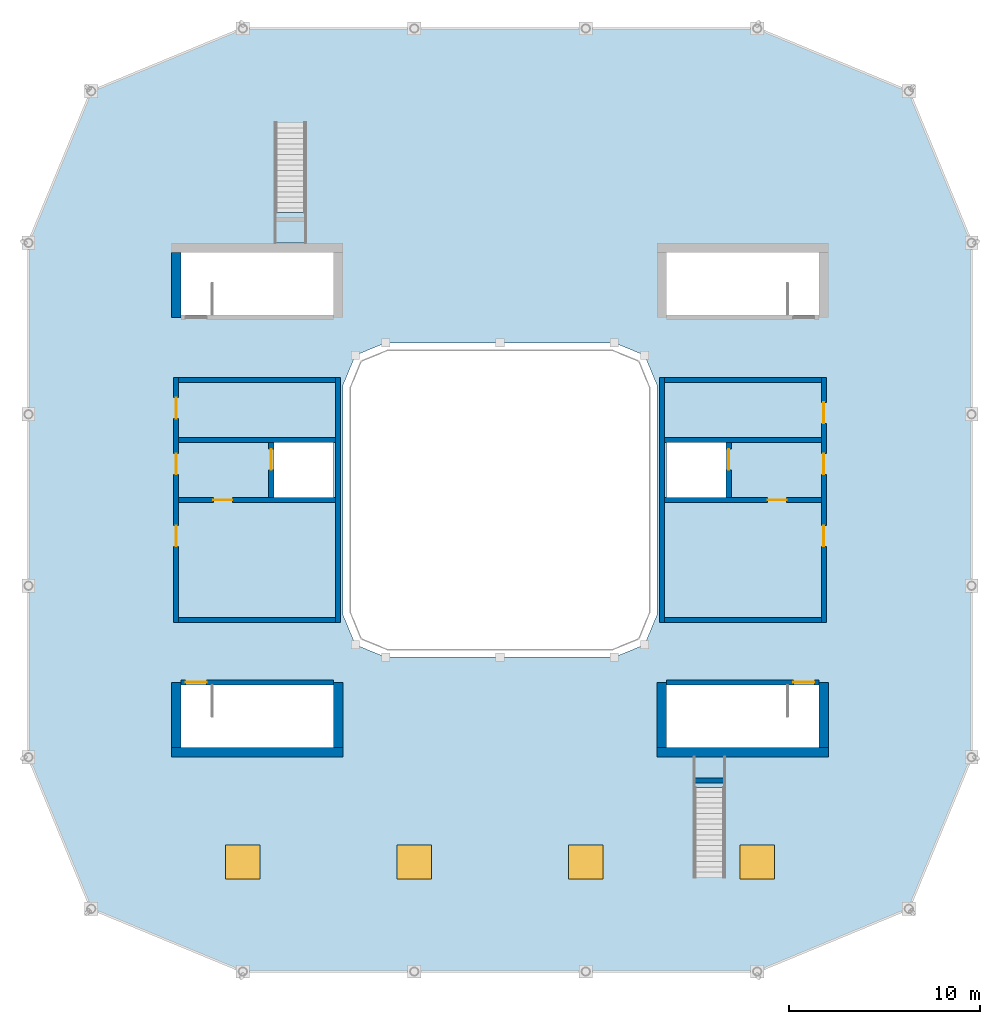
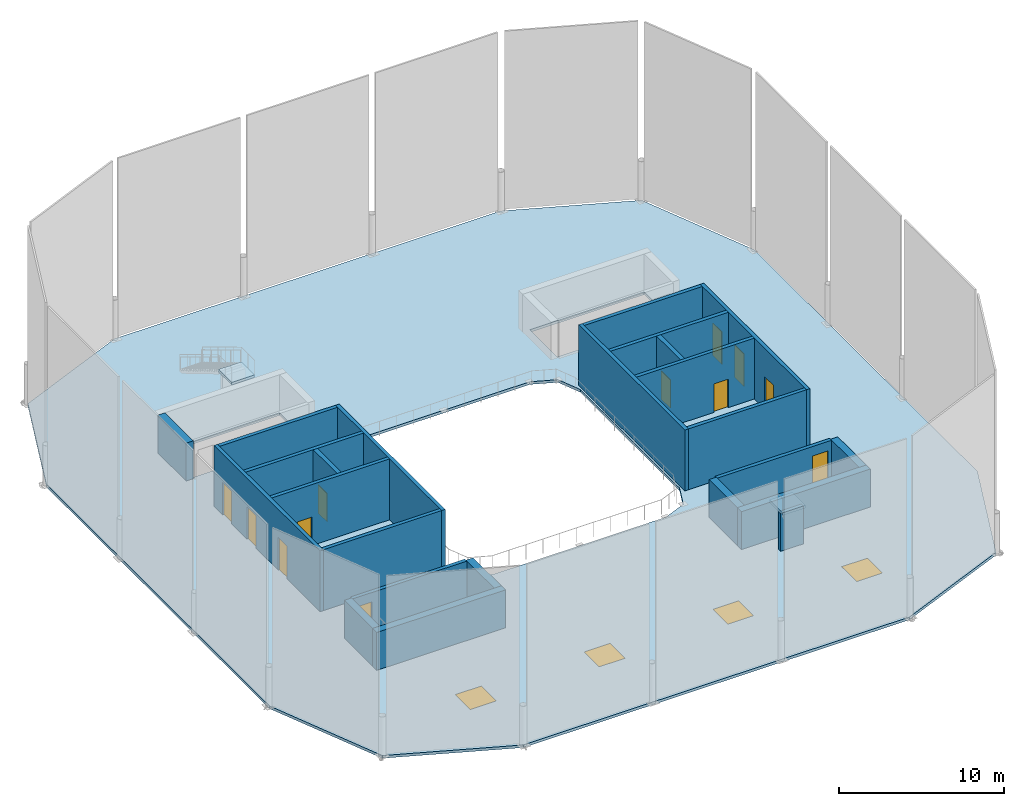
# One storey, part 3 of 8: 24 walls, 12 doors, 4 windows, 3 slabs, 16 openings, 2 elements without a shape of their own.
"""IFC4 building model written with IfcOpenShell, lengths in metres."""

from ifc_helpers import new_model, si_unit, direction, frame, frame_2d, origin, origin_2d, place, context, subcontext, project, spatial, polyline, rectangle, outline, extrude, material, layer, layer_set, type_object, element, fill, aggregate, save


model = new_model("IFC4")

# Units and contexts
model_context = context("Model", 3, precision=1e-05, world=origin(), true_north=direction((0.0, 1.0)))
body_context = subcontext(model_context, "Body", "Model", "MODEL_VIEW")
ifc_project = project(units=[si_unit("LENGTHUNIT", "METRE"), si_unit("AREAUNIT", "SQUARE_METRE"), si_unit("VOLUMEUNIT", "CUBIC_METRE"), si_unit("PLANEANGLEUNIT", "RADIAN"), si_unit("MASSUNIT", "GRAM", prefix="KILO")], contexts=[model_context])

# Site, building, storey
site_placement = place(None, origin())
site = spatial("IfcSite", under=ifc_project, at=site_placement, CompositionType="ELEMENT")
building_placement = place(site_placement, origin())
building = spatial("IfcBuilding", under=site, at=building_placement, Name="Siwar Civic Tower", CompositionType="ELEMENT")
storey_placement = place(building_placement, frame((0.0, 0.0, 358.199951171875)))
storey = spatial("IfcBuildingStorey", under=building, at=storey_placement, Name="ROOF", CompositionType="ELEMENT", Elevation=358.199951171875)

# Stair, slab
ifc_material_1 = material(Name="Concrete C40/50", Category="concrete")
stair_type = type_object("IfcStairType", Name="CORE-ROOF-STAIR", PredefinedType="STRAIGHT_RUN_STAIR", material=ifc_material_1)
stair_1_placement = place(storey_placement, origin())
stair_1 = element("IfcStair", 1, at=stair_1_placement, inside=storey, type_object=stair_type, Name="Stair RS1", PredefinedType="STRAIGHT_RUN_STAIR")
ifc_material_2 = material(Name="Concrete C40/50", Category="concrete")
ifc_layer_1 = layer(ifc_material_2, 0.199951171875)
ifc_layer_set_1 = layer_set([ifc_layer_1], Name="Concrete C40/50")
slab_type_1 = type_object("IfcSlabType", Name="CORE-ROOF-STAIR-LANDING", PredefinedType="LANDING", material=ifc_layer_set_1)
placement = place(building_placement, frame((0.0, 0.0, 361.199951171875)))
slab_1_placement = place(placement, frame((0.0, 0.0, -0.199951171875)))
slab_1 = element("IfcSlab", 2, at=slab_1_placement, type_object=slab_type_1, Name="RS1 landing 1", PredefinedType="LANDING", context=body_context, shape_type="SweptSolid", body=[
    extrude(outline(polyline([(-10.199951171875, 13.5), (-11.800048828125, 13.5), (-11.800048828125, 15.10009765625), (-10.199951171875, 15.10009765625), (-10.199951171875, 13.5)])), origin(), (0.0, 0.0, 1.0), 0.199951171875),
])
aggregate(stair_1, [slab_1])

stair_2_placement = place(storey_placement, origin())
stair_2 = element("IfcStair", 3, at=stair_2_placement, inside=storey, type_object=stair_type, Name="Stair RS2", PredefinedType="STRAIGHT_RUN_STAIR")
slab_2_placement = place(placement, frame((0.0, 0.0, -0.199951171875)))
slab_2 = element("IfcSlab", 4, at=slab_2_placement, type_object=slab_type_1, Name="RS2 landing 1", PredefinedType="LANDING", context=body_context, shape_type="SweptSolid", body=[
    extrude(outline(polyline([(10.199951171875, -13.5), (11.800048828125, -13.5), (11.800048828125, -15.10009765625), (10.199951171875, -15.10009765625), (10.199951171875, -13.5)])), origin(), (0.0, 0.0, 1.0), 0.199951171875),
])
aggregate(stair_2, [slab_2])

# Slab, openings, windows
ifc_material_3 = material(Name="Concrete C40/50", Category="concrete")
ifc_layer_2 = layer(ifc_material_3, 0.199951171875)
ifc_layer_set_2 = layer_set([ifc_layer_2], Name="Concrete C40/50")
slab_type_2 = type_object("IfcSlabType", Name="STR-OBSERVATION-DECK-200", PredefinedType="FLOOR", material=ifc_layer_set_2)
slab_3_placement = place(storey_placement, frame((0.0, 0.0, -0.199951171875)))
slab_3 = element("IfcSlab", 5, at=slab_3_placement, inside=storey, type_object=slab_type_2, Name="L76/slab/roof", PredefinedType="FLOOR", context=body_context, shape_type="SweptSolid", body=[
    extrude(outline(polyline([(-13.5, -24.75), (13.5, -24.75), (21.454833984375, -21.454833984375), (24.75, -13.5), (24.75, 13.5), (21.454833984375, 21.454833984375), (13.5, 24.75), (-13.5, 24.75), (-21.454833984375, 21.454833984375), (-24.75, 13.5), (-24.75, -13.5), (-21.454833984375, -21.454833984375), (-13.5, -24.75)]), holes=[polyline([(8.75, -13.0), (8.75, -9.699951171875), (16.75, -9.699951171875), (16.75, -13.0), (8.75, -13.0)]), polyline([(8.75, 9.699951171875), (8.75, 13.0), (16.75, 13.0), (16.75, 9.699951171875), (8.75, 9.699951171875)]), polyline([(8.75, 0.125), (8.75, 3.02490234375), (11.85009765625, 3.02490234375), (11.85009765625, 0.125), (8.75, 0.125)]), polyline([(-7.591064453125, 7.591064453125), (-6.0, 8.25), (6.0, 8.25), (7.591064453125, 7.591064453125), (8.25, 6.0), (8.25, -6.0), (7.591064453125, -7.591064453125), (6.0, -8.25), (-6.0, -8.25), (-7.591064453125, -7.591064453125), (-8.25, -6.0), (-8.25, 6.0), (-7.591064453125, 7.591064453125)]), polyline([(-16.75, -9.699951171875), (-8.75, -9.699951171875), (-8.75, -13.0), (-16.75, -13.0), (-16.75, -9.699951171875)]), polyline([(-8.75, 3.02490234375), (-8.75, 0.125), (-11.85009765625, 0.125), (-11.85009765625, 3.02490234375), (-8.75, 3.02490234375)]), polyline([(-8.75, 13.0), (-8.75, 9.699951171875), (-16.75, 9.699951171875), (-16.75, 13.0), (-8.75, 13.0)])]), origin(), (0.0, 0.0, 1.0), 0.199951171875),
])
opening_1_placement = place(slab_3_placement, frame((-13.5, -19.0, 0.0)))
opening_1 = element("IfcOpeningElement", 6, at=opening_1_placement, cuts=slab_3, Name="Opening SKL", PredefinedType="OPENING", context=body_context, shape_type="SweptSolid", body=[
    extrude(rectangle(XDim=1.800048828125, YDim=1.800048828125, at=origin_2d()), origin(), (0.0, 0.0, 1.0), 0.199951171875),
])
opening_2_placement = place(slab_3_placement, frame((-4.5, -19.0, 0.0)))
opening_2 = element("IfcOpeningElement", 7, at=opening_2_placement, cuts=slab_3, Name="Opening SKL", PredefinedType="OPENING", context=body_context, shape_type="SweptSolid", body=[
    extrude(rectangle(XDim=1.800048828125, YDim=1.800048828125, at=origin_2d()), origin(), (0.0, 0.0, 1.0), 0.199951171875),
])
opening_3_placement = place(slab_3_placement, frame((4.5, -19.0, 0.0)))
opening_3 = element("IfcOpeningElement", 8, at=opening_3_placement, cuts=slab_3, Name="Opening SKL", PredefinedType="OPENING", context=body_context, shape_type="SweptSolid", body=[
    extrude(rectangle(XDim=1.800048828125, YDim=1.800048828125, at=origin_2d()), origin(), (0.0, 0.0, 1.0), 0.199951171875),
])
opening_4_placement = place(slab_3_placement, frame((13.5, -19.0, 0.0)))
opening_4 = element("IfcOpeningElement", 9, at=opening_4_placement, cuts=slab_3, Name="Opening SKL", PredefinedType="OPENING", context=body_context, shape_type="SweptSolid", body=[
    extrude(rectangle(XDim=1.800048828125, YDim=1.800048828125, at=origin_2d()), origin(), (0.0, 0.0, 1.0), 0.199951171875),
])
ifc_material_4 = material(Name="Aluminium and laminated glass", Category="aluminium")
window_type = type_object("IfcWindowType", Name="ENV-ROOFLIGHT", PartitioningType="SINGLE_PANEL", PredefinedType="SKYLIGHT", material=ifc_material_4)
window_1_placement = place(opening_1_placement, frame((0.0, 0.0, 0.14990234375)))
window_1 = element("IfcWindow", 10, at=window_1_placement, inside=storey, type_object=window_type, Name="SKYLIGHT 1", OverallHeight=1.800048828125, OverallWidth=1.800048828125, PartitioningType="SINGLE_PANEL", PredefinedType="SKYLIGHT", context=body_context, shape_type="SweptSolid", body=[
    extrude(rectangle(XDim=1.800048828125, YDim=1.800048828125, at=origin_2d()), origin(), (0.0, 0.0, 1.0), 0.050048828125),
])
fill(opening_1, window_1)
window_2_placement = place(opening_2_placement, frame((0.0, 0.0, 0.14990234375)))
window_2 = element("IfcWindow", 11, at=window_2_placement, inside=storey, type_object=window_type, Name="SKYLIGHT 2", OverallHeight=1.800048828125, OverallWidth=1.800048828125, PartitioningType="SINGLE_PANEL", PredefinedType="SKYLIGHT", context=body_context, shape_type="SweptSolid", body=[
    extrude(rectangle(XDim=1.800048828125, YDim=1.800048828125, at=origin_2d()), origin(), (0.0, 0.0, 1.0), 0.050048828125),
])
fill(opening_2, window_2)
window_3_placement = place(opening_3_placement, frame((0.0, 0.0, 0.14990234375)))
window_3 = element("IfcWindow", 12, at=window_3_placement, inside=storey, type_object=window_type, Name="SKYLIGHT 3", OverallHeight=1.800048828125, OverallWidth=1.800048828125, PartitioningType="SINGLE_PANEL", PredefinedType="SKYLIGHT", context=body_context, shape_type="SweptSolid", body=[
    extrude(rectangle(XDim=1.800048828125, YDim=1.800048828125, at=origin_2d()), origin(), (0.0, 0.0, 1.0), 0.050048828125),
])
fill(opening_3, window_3)
window_4_placement = place(opening_4_placement, frame((0.0, 0.0, 0.14990234375)))
window_4 = element("IfcWindow", 13, at=window_4_placement, inside=storey, type_object=window_type, Name="SKYLIGHT 4", OverallHeight=1.800048828125, OverallWidth=1.800048828125, PartitioningType="SINGLE_PANEL", PredefinedType="SKYLIGHT", context=body_context, shape_type="SweptSolid", body=[
    extrude(rectangle(XDim=1.800048828125, YDim=1.800048828125, at=origin_2d()), origin(), (0.0, 0.0, 1.0), 0.050048828125),
])
fill(opening_4, window_4)

# Wall, opening, door
ifc_material_5 = material(Name="Concrete C60/75", Category="concrete")
ifc_layer_3 = layer(ifc_material_5, 0.25)
ifc_layer_set_3 = layer_set([ifc_layer_3], Name="Concrete C60/75")
wall_type_1 = type_object("IfcWallType", Name="CORE-WALL-RC250", PredefinedType="SHEAR", material=ifc_layer_set_3)
wall_1_placement = place(storey_placement, frame((8.625, 0.0, 0.0), z_axis=(0.0, 0.0, 1.0), x_axis=(1.0, 0.0, 0.0)))
wall_1 = element("IfcWall", 14, at=wall_1_placement, inside=storey, type_object=wall_type_1, Name="Lift lobby wall E", PredefinedType="SHEAR", context=body_context, shape_type="SweptSolid", body=[
    extrude(rectangle(XDim=8.25, YDim=0.25, at=frame_2d((4.125, 0.0))), origin(), (0.0, 0.0, 1.0), 4.5),
])
opening_5_placement = place(wall_1_placement, frame((5.425048828125, 0.0, 0.0)))
opening_5 = element("IfcOpeningElement", 15, at=opening_5_placement, cuts=wall_1, Name="Opening ROOF-CE02", PredefinedType="OPENING", context=body_context, shape_type="SweptSolid", body=[
    extrude(rectangle(XDim=1.0, YDim=2.10009765625, at=frame_2d((0.5, 1.050048828125))), frame((0.0, 0.135009765625, 0.0), z_axis=(0.0, -1.0, 0.0), x_axis=(1.0, 0.0, 0.0)), (0.0, 0.0, 1.0), 0.27001953125),
])
ifc_material_6 = material(Name="Steel door leaf", Category="steel")
door_type_1 = type_object("IfcDoorType", Name="CORE-DOOR-FD30S", OperationType="SINGLE_SWING_LEFT", PredefinedType="DOOR", material=ifc_material_6)
door_1_placement = place(opening_5_placement, origin())
door_1 = element("IfcDoor", 16, at=door_1_placement, inside=storey, type_object=door_type_1, Name="Plant room door ROOF-CE02", OperationType="SINGLE_SWING_LEFT", OverallHeight=2.10009765625, OverallWidth=1.0, PredefinedType="DOOR", context=body_context, shape_type="SweptSolid", body=[
    extrude(rectangle(XDim=1.0, YDim=2.10009765625, at=frame_2d((0.5, 1.050048828125))), frame((0.0, 0.02490234375, 0.0), z_axis=(0.0, -1.0, 0.0), x_axis=(1.0, 0.0, 0.0)), (0.0, 0.0, 1.0), 0.050048828125),
])
fill(opening_5, door_1)

# Wall
wall_2_placement = place(storey_placement, frame((8.625, 3.14990234375, 0.0), z_axis=(0.0, 0.0, 1.0), x_axis=(1.0, 0.0, 0.0)))
element("IfcWall", 17, at=wall_2_placement, inside=storey, type_object=wall_type_1, Name="Lift lobby wall E", PredefinedType="SHEAR", context=body_context, shape_type="SweptSolid", body=[
    extrude(rectangle(XDim=8.25, YDim=0.25, at=frame_2d((4.125, 0.0))), origin(), (0.0, 0.0, 1.0), 4.5),
])

# Wall, opening, door
wall_3_placement = place(storey_placement, frame((-8.625, 0.0, 0.0), z_axis=(0.0, 0.0, 1.0), x_axis=(-1.0, 0.0, 0.0)))
wall_3 = element("IfcWall", 18, at=wall_3_placement, inside=storey, type_object=wall_type_1, Name="Lift lobby wall W", PredefinedType="SHEAR", context=body_context, shape_type="SweptSolid", body=[
    extrude(rectangle(XDim=8.25, YDim=0.25, at=frame_2d((4.125, 0.0))), origin(), (0.0, 0.0, 1.0), 4.5),
])
opening_6_placement = place(wall_3_placement, frame((5.425048828125, 0.0, 0.0)))
opening_6 = element("IfcOpeningElement", 19, at=opening_6_placement, cuts=wall_3, Name="Opening ROOF-CW02", PredefinedType="OPENING", context=body_context, shape_type="SweptSolid", body=[
    extrude(rectangle(XDim=1.0, YDim=2.10009765625, at=frame_2d((0.5, 1.050048828125))), frame((0.0, 0.135009765625, 0.0), z_axis=(0.0, -1.0, 0.0), x_axis=(1.0, 0.0, 0.0)), (0.0, 0.0, 1.0), 0.27001953125),
])
door_2_placement = place(opening_6_placement, origin())
door_2 = element("IfcDoor", 20, at=door_2_placement, inside=storey, type_object=door_type_1, Name="Plant room door ROOF-CW02", OperationType="SINGLE_SWING_RIGHT", OverallHeight=2.10009765625, OverallWidth=1.0, PredefinedType="DOOR", context=body_context, shape_type="SweptSolid", body=[
    extrude(rectangle(XDim=1.0, YDim=2.10009765625, at=frame_2d((0.5, 1.050048828125))), frame((0.0, 0.02490234375, 0.0), z_axis=(0.0, -1.0, 0.0), x_axis=(1.0, 0.0, 0.0)), (0.0, 0.0, 1.0), 0.050048828125),
])
fill(opening_6, door_2)

# Wall
wall_4_placement = place(storey_placement, frame((-8.625, 3.14990234375, 0.0), z_axis=(0.0, 0.0, 1.0), x_axis=(-1.0, 0.0, 0.0)))
element("IfcWall", 21, at=wall_4_placement, inside=storey, type_object=wall_type_1, Name="Lift lobby wall W", PredefinedType="SHEAR", context=body_context, shape_type="SweptSolid", body=[
    extrude(rectangle(XDim=8.25, YDim=0.25, at=frame_2d((4.125, 0.0))), origin(), (0.0, 0.0, 1.0), 4.5),
])

# Wall, opening, door
ifc_material_7 = material(Name="Concrete C60/75", Category="concrete")
ifc_layer_4 = layer(ifc_material_7, 0.25)
ifc_layer_set_4 = layer_set([ifc_layer_4], Name="Concrete C60/75")
wall_type_2 = type_object("IfcWallType", Name="CORE-WALL-RC250-EXT", PredefinedType="SHEAR", material=ifc_layer_set_4)
wall_5_placement = place(storey_placement, frame((-8.75, -9.574951171875, 0.0), z_axis=(0.0, 0.0, 1.0), x_axis=(-1.0, 0.0, 0.0)))
wall_5 = element("IfcWall", 22, at=wall_5_placement, inside=storey, type_object=wall_type_2, Name="Stair head-house wall ST2", PredefinedType="SHEAR", context=body_context, shape_type="SweptSolid", body=[
    extrude(rectangle(XDim=8.0, YDim=0.25, at=frame_2d((4.0, 0.0))), origin(), (0.0, 0.0, 1.0), 2.800048828125),
])
opening_7_placement = place(wall_5_placement, frame((6.64990234375, 0.0, 0.0)))
opening_7 = element("IfcOpeningElement", 23, at=opening_7_placement, cuts=wall_5, Name="Opening L76-HST2", PredefinedType="OPENING", context=body_context, shape_type="SweptSolid", body=[
    extrude(rectangle(XDim=1.10009765625, YDim=2.10009765625, at=frame_2d((0.550048828125, 1.050048828125))), frame((0.0, 0.135009765625, 0.0), z_axis=(0.0, -1.0, 0.0), x_axis=(1.0, 0.0, 0.0)), (0.0, 0.0, 1.0), 0.27001953125),
])
ifc_material_8 = material(Name="Steel door leaf", Category="steel")
door_type_2 = type_object("IfcDoorType", Name="CORE-DOOR-FD60S-EXT", OperationType="SINGLE_SWING_LEFT", PredefinedType="DOOR", material=ifc_material_8)
door_3_placement = place(opening_7_placement, origin())
door_3 = element("IfcDoor", 24, at=door_3_placement, inside=storey, type_object=door_type_2, Name="Roof stair door ST2", OperationType="SINGLE_SWING_LEFT", OverallHeight=2.10009765625, OverallWidth=1.10009765625, PredefinedType="DOOR", context=body_context, shape_type="SweptSolid", body=[
    extrude(rectangle(XDim=1.10009765625, YDim=2.10009765625, at=frame_2d((0.550048828125, 1.050048828125))), frame((0.0, 0.02490234375, 0.0), z_axis=(0.0, -1.0, 0.0), x_axis=(1.0, 0.0, 0.0)), (0.0, 0.0, 1.0), 0.050048828125),
])
fill(opening_7, door_3)

wall_6_placement = place(storey_placement, frame((8.75, -9.574951171875, 0.0), z_axis=(0.0, 0.0, 1.0), x_axis=(1.0, 0.0, 0.0)))
wall_6 = element("IfcWall", 25, at=wall_6_placement, inside=storey, type_object=wall_type_2, Name="Stair head-house wall ST4", PredefinedType="SHEAR", context=body_context, shape_type="SweptSolid", body=[
    extrude(rectangle(XDim=8.0, YDim=0.25, at=frame_2d((4.0, 0.0))), origin(), (0.0, 0.0, 1.0), 2.800048828125),
])
opening_8_placement = place(wall_6_placement, frame((6.64990234375, 0.0, 0.0)))
opening_8 = element("IfcOpeningElement", 26, at=opening_8_placement, cuts=wall_6, Name="Opening L76-HST4", PredefinedType="OPENING", context=body_context, shape_type="SweptSolid", body=[
    extrude(rectangle(XDim=1.10009765625, YDim=2.10009765625, at=frame_2d((0.550048828125, 1.050048828125))), frame((0.0, 0.135009765625, 0.0), z_axis=(0.0, -1.0, 0.0), x_axis=(1.0, 0.0, 0.0)), (0.0, 0.0, 1.0), 0.27001953125),
])
door_4_placement = place(opening_8_placement, origin())
door_4 = element("IfcDoor", 27, at=door_4_placement, inside=storey, type_object=door_type_2, Name="Roof stair door ST4", OperationType="SINGLE_SWING_RIGHT", OverallHeight=2.10009765625, OverallWidth=1.10009765625, PredefinedType="DOOR", context=body_context, shape_type="SweptSolid", body=[
    extrude(rectangle(XDim=1.10009765625, YDim=2.10009765625, at=frame_2d((0.550048828125, 1.050048828125))), frame((0.0, 0.02490234375, 0.0), z_axis=(0.0, -1.0, 0.0), x_axis=(1.0, 0.0, 0.0)), (0.0, 0.0, 1.0), 0.050048828125),
])
fill(opening_8, door_4)

# Wall
wall_7_placement = place(storey_placement, frame((10.199951171875, -14.72509765625, 0.0), z_axis=(0.0, 0.0, 1.0), x_axis=(1.0, 0.0, 0.0)))
element("IfcWall", 28, at=wall_7_placement, inside=storey, type_object=wall_type_2, Name="Stair landing support wall RS2", PredefinedType="SHEAR", context=body_context, shape_type="SweptSolid", body=[
    extrude(rectangle(XDim=1.60009765625, YDim=0.25, at=frame_2d((0.800048828125, 0.0))), origin(), (0.0, 0.0, 1.0), 2.800048828125),
])

# Wall, opening, door
ifc_material_9 = material(Name="Concrete C60/75", Category="concrete")
ifc_layer_5 = layer(ifc_material_9, 0.300048828125)
ifc_layer_set_5 = layer_set([ifc_layer_5], Name="Concrete C60/75")
wall_type_3 = type_object("IfcWallType", Name="CORE-WALL-RC300", PredefinedType="SHEAR", material=ifc_layer_set_5)
wall_8_placement = place(storey_placement, frame((12.0, 0.125, 0.0), z_axis=(0.0, 0.0, 1.0), x_axis=(0.0, 1.0, 0.0)))
wall_8 = element("IfcWall", 29, at=wall_8_placement, inside=storey, type_object=wall_type_3, Name="Lift shaft wall E", PredefinedType="SHEAR", context=body_context, shape_type="SweptSolid", body=[
    extrude(rectangle(XDim=2.89990234375, YDim=0.300048828125, at=frame_2d((1.449951171875, 0.0))), origin(), (0.0, 0.0, 1.0), 4.5),
])
opening_9_placement = place(wall_8_placement, frame((1.449951171875, 0.0, 0.0)))
opening_9 = element("IfcOpeningElement", 30, at=opening_9_placement, cuts=wall_8, Name="Opening ROOF-CE01", PredefinedType="OPENING", context=body_context, shape_type="SweptSolid", body=[
    extrude(rectangle(XDim=1.10009765625, YDim=2.10009765625, at=frame_2d((0.550048828125, 1.050048828125))), frame((0.0, 0.16015625, 0.0), z_axis=(0.0, -1.0, 0.0), x_axis=(1.0, 0.0, 0.0)), (0.0, 0.0, 1.0), 0.320068359375),
])
ifc_material_10 = material(Name="Steel door leaf", Category="steel")
door_type_3 = type_object("IfcDoorType", Name="CORE-DOOR-LD", OperationType="DOUBLE_DOOR_SLIDING", PredefinedType="DOOR", material=ifc_material_10)
door_5_placement = place(opening_9_placement, origin())
door_5 = element("IfcDoor", 31, at=door_5_placement, inside=storey, type_object=door_type_3, Name="Landing door HR7 ROOF-CE01", OperationType="DOUBLE_DOOR_SLIDING", OverallHeight=2.10009765625, OverallWidth=1.10009765625, PredefinedType="DOOR", context=body_context, shape_type="SweptSolid", body=[
    extrude(rectangle(XDim=1.10009765625, YDim=2.10009765625, at=frame_2d((0.550048828125, 1.050048828125))), frame((0.0, 0.02490234375, 0.0), z_axis=(0.0, -1.0, 0.0), x_axis=(1.0, 0.0, 0.0)), (0.0, 0.0, 1.0), 0.050048828125),
])
fill(opening_9, door_5)

wall_9_placement = place(storey_placement, frame((-12.0, 0.125, 0.0), z_axis=(0.0, 0.0, 1.0), x_axis=(0.0, 1.0, 0.0)))
wall_9 = element("IfcWall", 32, at=wall_9_placement, inside=storey, type_object=wall_type_3, Name="Lift shaft wall W", PredefinedType="SHEAR", context=body_context, shape_type="SweptSolid", body=[
    extrude(rectangle(XDim=2.89990234375, YDim=0.300048828125, at=frame_2d((1.449951171875, 0.0))), origin(), (0.0, 0.0, 1.0), 4.5),
])
opening_10_placement = place(wall_9_placement, frame((1.449951171875, 0.0, 0.0)))
opening_10 = element("IfcOpeningElement", 33, at=opening_10_placement, cuts=wall_9, Name="Opening ROOF-CW01", PredefinedType="OPENING", context=body_context, shape_type="SweptSolid", body=[
    extrude(rectangle(XDim=1.10009765625, YDim=2.10009765625, at=frame_2d((0.550048828125, 1.050048828125))), frame((0.0, 0.16015625, 0.0), z_axis=(0.0, -1.0, 0.0), x_axis=(1.0, 0.0, 0.0)), (0.0, 0.0, 1.0), 0.320068359375),
])
door_6_placement = place(opening_10_placement, origin())
door_6 = element("IfcDoor", 34, at=door_6_placement, inside=storey, type_object=door_type_3, Name="Landing door HR3 ROOF-CW01", OperationType="DOUBLE_DOOR_SLIDING", OverallHeight=2.10009765625, OverallWidth=1.10009765625, PredefinedType="DOOR", context=body_context, shape_type="SweptSolid", body=[
    extrude(rectangle(XDim=1.10009765625, YDim=2.10009765625, at=frame_2d((0.550048828125, 1.050048828125))), frame((0.0, 0.02490234375, 0.0), z_axis=(0.0, -1.0, 0.0), x_axis=(1.0, 0.0, 0.0)), (0.0, 0.0, 1.0), 0.050048828125),
])
fill(opening_10, door_6)

# Walls
ifc_material_11 = material(Name="Concrete C60/75", Category="concrete")
ifc_layer_6 = layer(ifc_material_11, 0.5)
ifc_layer_set_6 = layer_set([ifc_layer_6], Name="Concrete C60/75")
wall_type_4 = type_object("IfcWallType", Name="CORE-WALL-RC500-EXT", PredefinedType="SHEAR", material=ifc_layer_set_6)
for number, where, z_axis, x_axis, name in (
    (35, (-17.0, 9.574951171875, 0.0), (0.0, 0.0, 1.0), (0.0, 1.0, 0.0), "Stair head-house wall ST1"),
    (36, (-8.5, -13.0, 0.0), (0.0, 0.0, 1.0), (0.0, 1.0, 0.0), "Stair head-house wall ST2"),
):
    element("IfcWall", number, at=place(storey_placement, frame(where, z_axis=z_axis, x_axis=x_axis)), inside=storey, type_object=wall_type_4, Name=name, PredefinedType="SHEAR", context=body_context, shape_type="SweptSolid", body=[
        extrude(rectangle(XDim=3.425048828125, YDim=0.5, at=frame_2d((1.71240234375, 0.0))), origin(), (0.0, 0.0, 1.0), 2.800048828125),
    ])
wall_10_placement = place(storey_placement, frame((-8.25, -13.25, 0.0), z_axis=(0.0, 0.0, 1.0), x_axis=(-1.0, 0.0, 0.0)))
element("IfcWall", 37, at=wall_10_placement, inside=storey, type_object=wall_type_4, Name="Stair head-house wall ST2", PredefinedType="SHEAR", context=body_context, shape_type="SweptSolid", body=[
    extrude(rectangle(XDim=9.0, YDim=0.5, at=frame_2d((4.5, 0.0))), origin(), (0.0, 0.0, 1.0), 2.800048828125),
])
for number, where, z_axis, x_axis, name in (
    (38, (-17.0, -9.574951171875, 0.0), (0.0, 0.0, 1.0), (0.0, -1.0, 0.0), "Stair head-house wall ST2"),
    (39, (8.5, -13.0, 0.0), (0.0, 0.0, 1.0), (0.0, 1.0, 0.0), "Stair head-house wall ST4"),
):
    element("IfcWall", number, at=place(storey_placement, frame(where, z_axis=z_axis, x_axis=x_axis)), inside=storey, type_object=wall_type_4, Name=name, PredefinedType="SHEAR", context=body_context, shape_type="SweptSolid", body=[
        extrude(rectangle(XDim=3.425048828125, YDim=0.5, at=frame_2d((1.71240234375, 0.0))), origin(), (0.0, 0.0, 1.0), 2.800048828125),
    ])
wall_11_placement = place(storey_placement, frame((8.25, -13.25, 0.0), z_axis=(0.0, 0.0, 1.0), x_axis=(1.0, 0.0, 0.0)))
element("IfcWall", 40, at=wall_11_placement, inside=storey, type_object=wall_type_4, Name="Stair head-house wall ST4", PredefinedType="SHEAR", context=body_context, shape_type="SweptSolid", body=[
    extrude(rectangle(XDim=9.0, YDim=0.5, at=frame_2d((4.5, 0.0))), origin(), (0.0, 0.0, 1.0), 2.800048828125),
])
wall_12_placement = place(storey_placement, frame((17.0, -9.574951171875, 0.0), z_axis=(0.0, 0.0, 1.0), x_axis=(0.0, -1.0, 0.0)))
element("IfcWall", 41, at=wall_12_placement, inside=storey, type_object=wall_type_4, Name="Stair head-house wall ST4", PredefinedType="SHEAR", context=body_context, shape_type="SweptSolid", body=[
    extrude(rectangle(XDim=3.425048828125, YDim=0.5, at=frame_2d((1.71240234375, 0.0))), origin(), (0.0, 0.0, 1.0), 2.800048828125),
])
ifc_material_12 = material(Name="Concrete C40/50", Category="concrete")
ifc_layer_7 = layer(ifc_material_12, 0.25)
ifc_layer_set_7 = layer_set([ifc_layer_7], Name="Concrete C40/50")
wall_type_5 = type_object("IfcWallType", Name="ENV-PLANT WALL", PredefinedType="STANDARD", material=ifc_layer_set_7)
wall_13_placement = place(storey_placement, frame((-16.875, -6.300048828125, 0.0), z_axis=(0.0, 0.0, 1.0), x_axis=(1.0, 0.0, 0.0)))
element("IfcWall", 42, at=wall_13_placement, inside=storey, type_object=wall_type_5, Name="Roof plant wall W1", PredefinedType="STANDARD", context=body_context, shape_type="SweptSolid", body=[
    extrude(rectangle(XDim=8.25, YDim=0.25, at=frame_2d((4.125, 0.0))), origin(), (0.0, 0.0, 1.0), 4.5),
])
wall_14_placement = place(storey_placement, frame((-8.5, -6.425048828125, 0.0), z_axis=(0.0, 0.0, 1.0), x_axis=(0.0, 1.0, 0.0)))
element("IfcWall", 43, at=wall_14_placement, inside=storey, type_object=wall_type_5, Name="Roof plant wall W2", PredefinedType="STANDARD", context=body_context, shape_type="SweptSolid", body=[
    extrude(rectangle(XDim=12.85009765625, YDim=0.25, at=frame_2d((6.425048828125, 0.0))), origin(), (0.0, 0.0, 1.0), 4.5),
])
wall_15_placement = place(storey_placement, frame((-8.625, 6.300048828125, 0.0), z_axis=(0.0, 0.0, 1.0), x_axis=(-1.0, 0.0, 0.0)))
element("IfcWall", 44, at=wall_15_placement, inside=storey, type_object=wall_type_5, Name="Roof plant wall W3", PredefinedType="STANDARD", context=body_context, shape_type="SweptSolid", body=[
    extrude(rectangle(XDim=8.25, YDim=0.25, at=frame_2d((4.125, 0.0))), origin(), (0.0, 0.0, 1.0), 4.5),
])

# Wall, openings, doors
wall_16_placement = place(storey_placement, frame((-17.0, 6.425048828125, 0.0), z_axis=(0.0, 0.0, 1.0), x_axis=(0.0, -1.0, 0.0)))
wall_16 = element("IfcWall", 45, at=wall_16_placement, inside=storey, type_object=wall_type_5, Name="Roof plant wall W4", PredefinedType="STANDARD", context=body_context, shape_type="SweptSolid", body=[
    extrude(rectangle(XDim=12.85009765625, YDim=0.25, at=frame_2d((6.425048828125, 0.0))), origin(), (0.0, 0.0, 1.0), 4.5),
])
opening_11_placement = place(wall_16_placement, frame((3.985107421875, 0.0, 0.0)))
opening_11 = element("IfcOpeningElement", 46, at=opening_11_placement, cuts=wall_16, Name="Opening D-RF", PredefinedType="OPENING", context=body_context, shape_type="SweptSolid", body=[
    extrude(rectangle(XDim=1.10009765625, YDim=2.39990234375, at=frame_2d((0.550048828125, 1.199951171875))), frame((0.0, 0.135009765625, 0.0), z_axis=(0.0, -1.0, 0.0), x_axis=(1.0, 0.0, 0.0)), (0.0, 0.0, 1.0), 0.27001953125),
])
opening_12_placement = place(wall_16_placement, frame((7.764892578125, 0.0, 0.0)))
opening_12 = element("IfcOpeningElement", 47, at=opening_12_placement, cuts=wall_16, Name="Opening D-RF", PredefinedType="OPENING", context=body_context, shape_type="SweptSolid", body=[
    extrude(rectangle(XDim=1.10009765625, YDim=2.39990234375, at=frame_2d((0.550048828125, 1.199951171875))), frame((0.0, 0.135009765625, 0.0), z_axis=(0.0, -1.0, 0.0), x_axis=(1.0, 0.0, 0.0)), (0.0, 0.0, 1.0), 0.27001953125),
])
opening_13_placement = place(wall_16_placement, frame((1.04931640625, 0.0, 0.0)))
opening_13 = element("IfcOpeningElement", 48, at=opening_13_placement, cuts=wall_16, Name="Opening D-RF", PredefinedType="OPENING", context=body_context, shape_type="SweptSolid", body=[
    extrude(rectangle(XDim=1.10009765625, YDim=2.39990234375, at=frame_2d((0.550048828125, 1.199951171875))), frame((0.0, 0.135009765625, 0.0), z_axis=(0.0, -1.0, 0.0), x_axis=(1.0, 0.0, 0.0)), (0.0, 0.0, 1.0), 0.27001953125),
])
ifc_material_13 = material(Name="Steel, painted", Category="steel")
door_type_4 = type_object("IfcDoorType", Name="ENV-DOOR-ROOF", OperationType="SINGLE_SWING_LEFT", PredefinedType="DOOR", material=ifc_material_13)
door_7_placement = place(opening_11_placement, origin())
door_7 = element("IfcDoor", 49, at=door_7_placement, inside=storey, type_object=door_type_4, Name="Observation deck lobby door W", OperationType="SINGLE_SWING_LEFT", OverallHeight=2.39990234375, OverallWidth=1.10009765625, PredefinedType="DOOR", context=body_context, shape_type="SweptSolid", body=[
    extrude(rectangle(XDim=1.10009765625, YDim=2.39990234375, at=frame_2d((0.550048828125, 1.199951171875))), frame((0.0, 0.02490234375, 0.0), z_axis=(0.0, -1.0, 0.0), x_axis=(1.0, 0.0, 0.0)), (0.0, 0.0, 1.0), 0.050048828125),
])
fill(opening_11, door_7)
door_8_placement = place(opening_12_placement, origin())
door_8 = element("IfcDoor", 50, at=door_8_placement, inside=storey, type_object=door_type_4, Name="Roof plant door W", OperationType="SINGLE_SWING_RIGHT", OverallHeight=2.39990234375, OverallWidth=1.10009765625, PredefinedType="DOOR", context=body_context, shape_type="SweptSolid", body=[
    extrude(rectangle(XDim=1.10009765625, YDim=2.39990234375, at=frame_2d((0.550048828125, 1.199951171875))), frame((0.0, 0.02490234375, 0.0), z_axis=(0.0, -1.0, 0.0), x_axis=(1.0, 0.0, 0.0)), (0.0, 0.0, 1.0), 0.050048828125),
])
fill(opening_12, door_8)
door_9_placement = place(opening_13_placement, origin())
door_9 = element("IfcDoor", 51, at=door_9_placement, inside=storey, type_object=door_type_4, Name="Roof plant door W", OperationType="SINGLE_SWING_LEFT", OverallHeight=2.39990234375, OverallWidth=1.10009765625, PredefinedType="DOOR", context=body_context, shape_type="SweptSolid", body=[
    extrude(rectangle(XDim=1.10009765625, YDim=2.39990234375, at=frame_2d((0.550048828125, 1.199951171875))), frame((0.0, 0.02490234375, 0.0), z_axis=(0.0, -1.0, 0.0), x_axis=(1.0, 0.0, 0.0)), (0.0, 0.0, 1.0), 0.050048828125),
])
fill(opening_13, door_9)

# Wall
wall_17_placement = place(storey_placement, frame((8.625, -6.300048828125, 0.0), z_axis=(0.0, 0.0, 1.0), x_axis=(1.0, 0.0, 0.0)))
element("IfcWall", 52, at=wall_17_placement, inside=storey, type_object=wall_type_5, Name="Roof plant wall E1", PredefinedType="STANDARD", context=body_context, shape_type="SweptSolid", body=[
    extrude(rectangle(XDim=8.25, YDim=0.25, at=frame_2d((4.125, 0.0))), origin(), (0.0, 0.0, 1.0), 4.5),
])

# Wall, openings, doors
wall_18_placement = place(storey_placement, frame((17.0, -6.425048828125, 0.0), z_axis=(0.0, 0.0, 1.0), x_axis=(0.0, 1.0, 0.0)))
wall_18 = element("IfcWall", 53, at=wall_18_placement, inside=storey, type_object=wall_type_5, Name="Roof plant wall E2", PredefinedType="STANDARD", context=body_context, shape_type="SweptSolid", body=[
    extrude(rectangle(XDim=12.85009765625, YDim=0.25, at=frame_2d((6.425048828125, 0.0))), origin(), (0.0, 0.0, 1.0), 4.5),
])
opening_14_placement = place(wall_18_placement, frame((3.985107421875, 0.0, 0.0)))
opening_14 = element("IfcOpeningElement", 54, at=opening_14_placement, cuts=wall_18, Name="Opening D-RF", PredefinedType="OPENING", context=body_context, shape_type="SweptSolid", body=[
    extrude(rectangle(XDim=1.10009765625, YDim=2.39990234375, at=frame_2d((0.550048828125, 1.199951171875))), frame((0.0, 0.135009765625, 0.0), z_axis=(0.0, -1.0, 0.0), x_axis=(1.0, 0.0, 0.0)), (0.0, 0.0, 1.0), 0.27001953125),
])
opening_15_placement = place(wall_18_placement, frame((7.764892578125, 0.0, 0.0)))
opening_15 = element("IfcOpeningElement", 55, at=opening_15_placement, cuts=wall_18, Name="Opening D-RF", PredefinedType="OPENING", context=body_context, shape_type="SweptSolid", body=[
    extrude(rectangle(XDim=1.10009765625, YDim=2.39990234375, at=frame_2d((0.550048828125, 1.199951171875))), frame((0.0, 0.135009765625, 0.0), z_axis=(0.0, -1.0, 0.0), x_axis=(1.0, 0.0, 0.0)), (0.0, 0.0, 1.0), 0.27001953125),
])
opening_16_placement = place(wall_18_placement, frame((10.44873046875, 0.0, 0.0)))
opening_16 = element("IfcOpeningElement", 56, at=opening_16_placement, cuts=wall_18, Name="Opening D-RF", PredefinedType="OPENING", context=body_context, shape_type="SweptSolid", body=[
    extrude(rectangle(XDim=1.10009765625, YDim=2.39990234375, at=frame_2d((0.550048828125, 1.199951171875))), frame((0.0, 0.135009765625, 0.0), z_axis=(0.0, -1.0, 0.0), x_axis=(1.0, 0.0, 0.0)), (0.0, 0.0, 1.0), 0.27001953125),
])
door_10_placement = place(opening_14_placement, origin())
door_10 = element("IfcDoor", 57, at=door_10_placement, inside=storey, type_object=door_type_4, Name="Roof plant door E", OperationType="SINGLE_SWING_LEFT", OverallHeight=2.39990234375, OverallWidth=1.10009765625, PredefinedType="DOOR", context=body_context, shape_type="SweptSolid", body=[
    extrude(rectangle(XDim=1.10009765625, YDim=2.39990234375, at=frame_2d((0.550048828125, 1.199951171875))), frame((0.0, 0.02490234375, 0.0), z_axis=(0.0, -1.0, 0.0), x_axis=(1.0, 0.0, 0.0)), (0.0, 0.0, 1.0), 0.050048828125),
])
fill(opening_14, door_10)
door_11_placement = place(opening_15_placement, origin())
door_11 = element("IfcDoor", 58, at=door_11_placement, inside=storey, type_object=door_type_4, Name="Observation deck lobby door E", OperationType="SINGLE_SWING_RIGHT", OverallHeight=2.39990234375, OverallWidth=1.10009765625, PredefinedType="DOOR", context=body_context, shape_type="SweptSolid", body=[
    extrude(rectangle(XDim=1.10009765625, YDim=2.39990234375, at=frame_2d((0.550048828125, 1.199951171875))), frame((0.0, 0.02490234375, 0.0), z_axis=(0.0, -1.0, 0.0), x_axis=(1.0, 0.0, 0.0)), (0.0, 0.0, 1.0), 0.050048828125),
])
fill(opening_15, door_11)
door_12_placement = place(opening_16_placement, origin())
door_12 = element("IfcDoor", 59, at=door_12_placement, inside=storey, type_object=door_type_4, Name="Roof plant door E", OperationType="SINGLE_SWING_RIGHT", OverallHeight=2.39990234375, OverallWidth=1.10009765625, PredefinedType="DOOR", context=body_context, shape_type="SweptSolid", body=[
    extrude(rectangle(XDim=1.10009765625, YDim=2.39990234375, at=frame_2d((0.550048828125, 1.199951171875))), frame((0.0, 0.02490234375, 0.0), z_axis=(0.0, -1.0, 0.0), x_axis=(1.0, 0.0, 0.0)), (0.0, 0.0, 1.0), 0.050048828125),
])
fill(opening_16, door_12)

# Walls
wall_19_placement = place(storey_placement, frame((16.875, 6.300048828125, 0.0), z_axis=(0.0, 0.0, 1.0), x_axis=(-1.0, 0.0, 0.0)))
element("IfcWall", 60, at=wall_19_placement, inside=storey, type_object=wall_type_5, Name="Roof plant wall E3", PredefinedType="STANDARD", context=body_context, shape_type="SweptSolid", body=[
    extrude(rectangle(XDim=8.25, YDim=0.25, at=frame_2d((4.125, 0.0))), origin(), (0.0, 0.0, 1.0), 4.5),
])
wall_20_placement = place(storey_placement, frame((8.5, 6.425048828125, 0.0), z_axis=(0.0, 0.0, 1.0), x_axis=(0.0, -1.0, 0.0)))
element("IfcWall", 61, at=wall_20_placement, inside=storey, type_object=wall_type_5, Name="Roof plant wall E4", PredefinedType="STANDARD", context=body_context, shape_type="SweptSolid", body=[
    extrude(rectangle(XDim=12.85009765625, YDim=0.25, at=frame_2d((6.425048828125, 0.0))), origin(), (0.0, 0.0, 1.0), 4.5),
])

save(model, "model.ifc")
